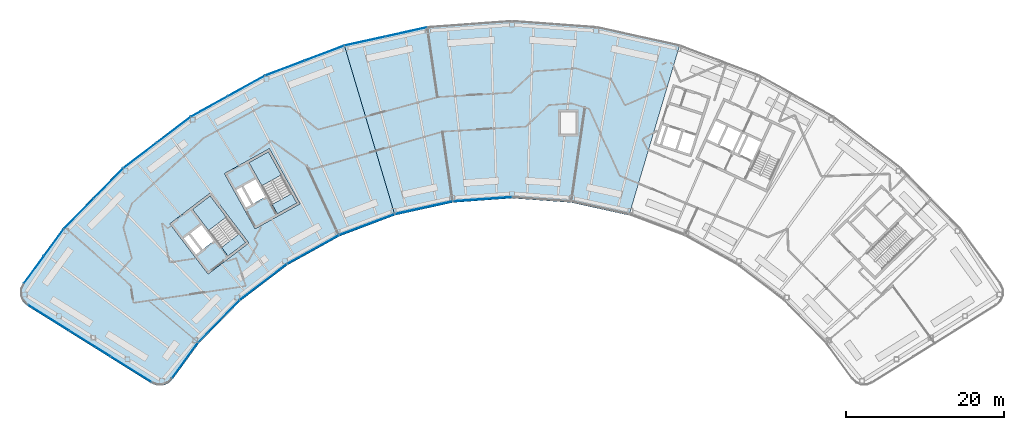
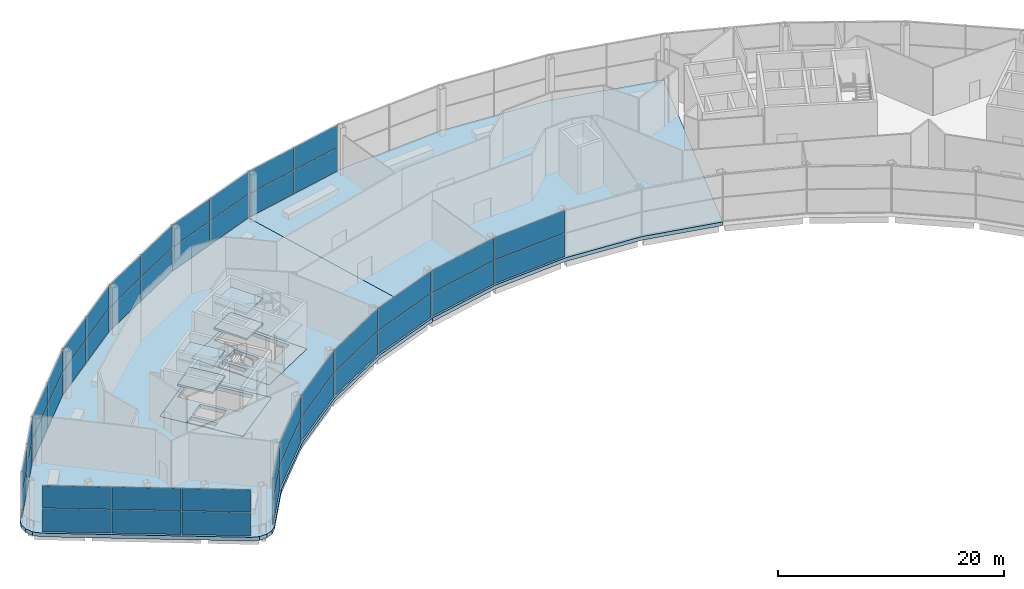
# One storey, part 33 of 43: 44 plates, 10 slabs, 16 elements without a shape of their own.
"""IFC4 building model written with IfcOpenShell, lengths in metres."""

from ifc_helpers import new_model, si_unit, direction, frame, origin, origin_2d, place, context, subcontext, project, spatial, polyline, rectangle, outline, extrude, material, layer, layer_set, type_object, element, aggregate, save


model = new_model("IFC4")

# Units and contexts
model_context = context("Model", 3, precision=1e-05, world=origin(), true_north=direction((0.0, 1.0)))
body_context = subcontext(model_context, "Body", "Model", "MODEL_VIEW")
ifc_project = project(units=[si_unit("LENGTHUNIT", "METRE"), si_unit("AREAUNIT", "SQUARE_METRE"), si_unit("VOLUMEUNIT", "CUBIC_METRE"), si_unit("PLANEANGLEUNIT", "RADIAN"), si_unit("MASSUNIT", "GRAM", prefix="KILO")], contexts=[model_context])

# Site, building, storey
site_placement = place(None, origin())
site = spatial("IfcSite", under=ifc_project, at=site_placement, CompositionType="ELEMENT")
building_placement = place(site_placement, origin())
building = spatial("IfcBuilding", under=site, at=building_placement, Name="Tuul Gate Civic Tower", CompositionType="ELEMENT")
storey_placement = place(building_placement, frame((0.0, 0.0, 349.10009765625)))
storey = spatial("IfcBuildingStorey", under=building, at=storey_placement, Name="Observation level 1", CompositionType="ELEMENT", Elevation=349.10009765625)

# Curtain wall, plates
ifc_material_1 = material(Name="Stainless steel", Category="steel")
ifc_layer_1 = layer(ifc_material_1, 0.199951171875)
ifc_layer_set_1 = layer_set([ifc_layer_1], Name="Stainless steel")
curtain_wall_type = type_object("IfcCurtainWallType", Name="Curtain wall CW4", PredefinedType="NOTDEFINED", material=ifc_layer_set_1)
curtain_wall_1_placement = place(storey_placement, origin())
curtain_wall_1 = element("IfcCurtainWall", 1, at=curtain_wall_1_placement, inside=storey, type_object=curtain_wall_type, Name="Curtain wall CW4", PredefinedType="NOTDEFINED")
ifc_material_2 = material(Name="Laminated glass", Category="glass")
ifc_layer_2 = layer(ifc_material_2, 0.0400390625)
ifc_layer_set_2 = layer_set([ifc_layer_2], Name="Laminated glass")
plate_type = type_object("IfcPlateType", Name="CW4 panel", PredefinedType="CURTAIN_PANEL", material=ifc_layer_set_2)
plate_1_placement = place(storey_placement, frame((-11.159423828125, 12.921875, 0.06005859375), z_axis=(0.0, 0.0, 1.0), x_axis=(-0.976566659334, -0.215215147882, 0.0)))
plate_1 = element("IfcPlate", 2, at=plate_1_placement, type_object=plate_type, Name="Panel", PredefinedType="CURTAIN_PANEL", context=body_context, shape_type="SweptSolid", body=[
    extrude(rectangle(XDim=5.28125, YDim=0.0400390625, at=origin_2d()), origin(), (0.0, 0.0, 1.0), 2.510009765625),
])
plate_2_placement = place(storey_placement, frame((-11.159423828125, 12.921875, 2.6298828125), z_axis=(0.0, 0.0, 1.0), x_axis=(-0.976566659334, -0.215215147882, 0.0)))
plate_2 = element("IfcPlate", 3, at=plate_2_placement, type_object=plate_type, Name="Panel", PredefinedType="CURTAIN_PANEL", context=body_context, shape_type="SweptSolid", body=[
    extrude(rectangle(XDim=5.28125, YDim=0.0400390625, at=origin_2d()), origin(), (0.0, 0.0, 1.0), 2.409912109375),
])
plate_3_placement = place(storey_placement, frame((-16.37548828125, 11.772216796875, 0.06005859375), z_axis=(0.0, 0.0, 1.0), x_axis=(-0.976566659334, -0.215215147882, 0.0)))
plate_3 = element("IfcPlate", 4, at=plate_3_placement, type_object=plate_type, Name="Panel", PredefinedType="CURTAIN_PANEL", context=body_context, shape_type="SweptSolid", body=[
    extrude(rectangle(XDim=5.28125, YDim=0.0400390625, at=origin_2d()), origin(), (0.0, 0.0, 1.0), 2.510009765625),
])
plate_4_placement = place(storey_placement, frame((-16.37548828125, 11.772216796875, 2.6298828125), z_axis=(0.0, 0.0, 1.0), x_axis=(-0.976566659334, -0.215215147882, 0.0)))
plate_4 = element("IfcPlate", 5, at=plate_4_placement, type_object=plate_type, Name="Panel", PredefinedType="CURTAIN_PANEL", context=body_context, shape_type="SweptSolid", body=[
    extrude(rectangle(XDim=5.28125, YDim=0.0400390625, at=origin_2d()), origin(), (0.0, 0.0, 1.0), 2.409912109375),
])
aggregate(curtain_wall_1, [plate_1, plate_2, plate_3, plate_4])

curtain_wall_2_placement = place(storey_placement, origin())
curtain_wall_2 = element("IfcCurtainWall", 6, at=curtain_wall_2_placement, inside=storey, type_object=curtain_wall_type, Name="Curtain wall CW4", PredefinedType="NOTDEFINED")
plate_5_placement = place(storey_placement, frame((-21.5390625, 10.235595703125, 0.06005859375), z_axis=(0.0, 0.0, 1.0), x_axis=(-0.935346200905, -0.35373363489, 0.0)))
plate_5 = element("IfcPlate", 7, at=plate_5_placement, type_object=plate_type, Name="Panel", PredefinedType="CURTAIN_PANEL", context=body_context, shape_type="SweptSolid", body=[
    extrude(rectangle(XDim=5.28125, YDim=0.0400390625, at=origin_2d()), origin(), (0.0, 0.0, 1.0), 2.510009765625),
])
plate_6_placement = place(storey_placement, frame((-21.5390625, 10.235595703125, 2.6298828125), z_axis=(0.0, 0.0, 1.0), x_axis=(-0.935346200905, -0.35373363489, 0.0)))
plate_6 = element("IfcPlate", 8, at=plate_6_placement, type_object=plate_type, Name="Panel", PredefinedType="CURTAIN_PANEL", context=body_context, shape_type="SweptSolid", body=[
    extrude(rectangle(XDim=5.28125, YDim=0.0400390625, at=origin_2d()), origin(), (0.0, 0.0, 1.0), 2.409912109375),
])
plate_7_placement = place(storey_placement, frame((-26.534912109375, 8.34619140625, 0.06005859375), z_axis=(0.0, 0.0, 1.0), x_axis=(-0.935346200905, -0.35373363489, 0.0)))
plate_7 = element("IfcPlate", 9, at=plate_7_placement, type_object=plate_type, Name="Panel", PredefinedType="CURTAIN_PANEL", context=body_context, shape_type="SweptSolid", body=[
    extrude(rectangle(XDim=5.28125, YDim=0.0400390625, at=origin_2d()), origin(), (0.0, 0.0, 1.0), 2.510009765625),
])
plate_8_placement = place(storey_placement, frame((-26.534912109375, 8.34619140625, 2.6298828125), z_axis=(0.0, 0.0, 1.0), x_axis=(-0.935346200905, -0.35373363489, 0.0)))
plate_8 = element("IfcPlate", 10, at=plate_8_placement, type_object=plate_type, Name="Panel", PredefinedType="CURTAIN_PANEL", context=body_context, shape_type="SweptSolid", body=[
    extrude(rectangle(XDim=5.28125, YDim=0.0400390625, at=origin_2d()), origin(), (0.0, 0.0, 1.0), 2.409912109375),
])
aggregate(curtain_wall_2, [plate_5, plate_6, plate_7, plate_8])

curtain_wall_3_placement = place(storey_placement, origin())
curtain_wall_3 = element("IfcCurtainWall", 11, at=curtain_wall_3_placement, inside=storey, type_object=curtain_wall_type, Name="Curtain wall CW4", PredefinedType="NOTDEFINED")
plate_9_placement = place(storey_placement, frame((-31.423095703125, 6.081787109375, 0.06005859375), z_axis=(0.0, 0.0, 1.0), x_axis=(-0.874631068374, -0.48478912347, 0.0)))
plate_9 = element("IfcPlate", 12, at=plate_9_placement, type_object=plate_type, Name="Panel", PredefinedType="CURTAIN_PANEL", context=body_context, shape_type="SweptSolid", body=[
    extrude(rectangle(XDim=5.281494140625, YDim=0.0400390625, at=origin_2d()), origin(), (0.0, 0.0, 1.0), 2.510009765625),
])
plate_10_placement = place(storey_placement, frame((-31.423095703125, 6.081787109375, 2.6298828125), z_axis=(0.0, 0.0, 1.0), x_axis=(-0.874631068374, -0.48478912347, 0.0)))
plate_10 = element("IfcPlate", 13, at=plate_10_placement, type_object=plate_type, Name="Panel", PredefinedType="CURTAIN_PANEL", context=body_context, shape_type="SweptSolid", body=[
    extrude(rectangle(XDim=5.281494140625, YDim=0.0400390625, at=origin_2d()), origin(), (0.0, 0.0, 1.0), 2.409912109375),
])
plate_11_placement = place(storey_placement, frame((-36.094970703125, 3.4921875, 0.06005859375), z_axis=(0.0, 0.0, 1.0), x_axis=(-0.874631068374, -0.48478912347, 0.0)))
plate_11 = element("IfcPlate", 14, at=plate_11_placement, type_object=plate_type, Name="Panel", PredefinedType="CURTAIN_PANEL", context=body_context, shape_type="SweptSolid", body=[
    extrude(rectangle(XDim=5.281494140625, YDim=0.0400390625, at=origin_2d()), origin(), (0.0, 0.0, 1.0), 2.510009765625),
])
plate_12_placement = place(storey_placement, frame((-36.094970703125, 3.4921875, 2.6298828125), z_axis=(0.0, 0.0, 1.0), x_axis=(-0.874631068374, -0.48478912347, 0.0)))
plate_12 = element("IfcPlate", 15, at=plate_12_placement, type_object=plate_type, Name="Panel", PredefinedType="CURTAIN_PANEL", context=body_context, shape_type="SweptSolid", body=[
    extrude(rectangle(XDim=5.281494140625, YDim=0.0400390625, at=origin_2d()), origin(), (0.0, 0.0, 1.0), 2.409912109375),
])
aggregate(curtain_wall_3, [plate_9, plate_10, plate_11, plate_12])

curtain_wall_4_placement = place(storey_placement, origin())
curtain_wall_4 = element("IfcCurtainWall", 16, at=curtain_wall_4_placement, inside=storey, type_object=curtain_wall_type, Name="Curtain wall CW4", PredefinedType="NOTDEFINED")
plate_13_placement = place(storey_placement, frame((-40.605712890625, 0.546875, 0.06005859375), z_axis=(0.0, 0.0, 1.0), x_axis=(-0.795611180684, -0.605807600786, 0.0)))
plate_13 = element("IfcPlate", 17, at=plate_13_placement, type_object=plate_type, Name="Panel", PredefinedType="CURTAIN_PANEL", context=body_context, shape_type="SweptSolid", body=[
    extrude(rectangle(XDim=5.28125, YDim=0.0400390625, at=origin_2d()), origin(), (0.0, 0.0, 1.0), 2.510009765625),
])
plate_14_placement = place(storey_placement, frame((-40.605712890625, 0.546875, 2.6298828125), z_axis=(0.0, 0.0, 1.0), x_axis=(-0.795611180684, -0.605807600786, 0.0)))
plate_14 = element("IfcPlate", 18, at=plate_14_placement, type_object=plate_type, Name="Panel", PredefinedType="CURTAIN_PANEL", context=body_context, shape_type="SweptSolid", body=[
    extrude(rectangle(XDim=5.28125, YDim=0.0400390625, at=origin_2d()), origin(), (0.0, 0.0, 1.0), 2.409912109375),
])
plate_15_placement = place(storey_placement, frame((-44.855224609375, -2.68896484375, 0.06005859375), z_axis=(0.0, 0.0, 1.0), x_axis=(-0.795611180684, -0.605807600786, 0.0)))
plate_15 = element("IfcPlate", 19, at=plate_15_placement, type_object=plate_type, Name="Panel", PredefinedType="CURTAIN_PANEL", context=body_context, shape_type="SweptSolid", body=[
    extrude(rectangle(XDim=5.28125, YDim=0.0400390625, at=origin_2d()), origin(), (0.0, 0.0, 1.0), 2.510009765625),
])
plate_16_placement = place(storey_placement, frame((-44.855224609375, -2.68896484375, 2.6298828125), z_axis=(0.0, 0.0, 1.0), x_axis=(-0.795611180684, -0.605807600786, 0.0)))
plate_16 = element("IfcPlate", 20, at=plate_16_placement, type_object=plate_type, Name="Panel", PredefinedType="CURTAIN_PANEL", context=body_context, shape_type="SweptSolid", body=[
    extrude(rectangle(XDim=5.28125, YDim=0.0400390625, at=origin_2d()), origin(), (0.0, 0.0, 1.0), 2.409912109375),
])
aggregate(curtain_wall_4, [plate_13, plate_14, plate_15, plate_16])

curtain_wall_5_placement = place(storey_placement, origin())
curtain_wall_5 = element("IfcCurtainWall", 21, at=curtain_wall_5_placement, inside=storey, type_object=curtain_wall_type, Name="Curtain wall CW4", PredefinedType="NOTDEFINED")
plate_17_placement = place(storey_placement, frame((-48.89453125, -6.25341796875, 0.06005859375), z_axis=(0.0, 0.0, 1.0), x_axis=(-0.700043488595, -0.714100212908, 0.0)))
plate_17 = element("IfcPlate", 22, at=plate_17_placement, type_object=plate_type, Name="Panel", PredefinedType="CURTAIN_PANEL", context=body_context, shape_type="SweptSolid", body=[
    extrude(rectangle(XDim=5.281005859375, YDim=0.0400390625, at=origin_2d()), origin(), (0.0, 0.0, 1.0), 2.510009765625),
])
plate_18_placement = place(storey_placement, frame((-48.89453125, -6.25341796875, 2.6298828125), z_axis=(0.0, 0.0, 1.0), x_axis=(-0.700043488595, -0.714100212908, 0.0)))
plate_18 = element("IfcPlate", 23, at=plate_18_placement, type_object=plate_type, Name="Panel", PredefinedType="CURTAIN_PANEL", context=body_context, shape_type="SweptSolid", body=[
    extrude(rectangle(XDim=5.281005859375, YDim=0.0400390625, at=origin_2d()), origin(), (0.0, 0.0, 1.0), 2.409912109375),
])
plate_19_placement = place(storey_placement, frame((-52.633544921875, -10.067626953125, 0.06005859375), z_axis=(0.0, 0.0, 1.0), x_axis=(-0.700043488595, -0.714100212908, 0.0)))
plate_19 = element("IfcPlate", 24, at=plate_19_placement, type_object=plate_type, Name="Panel", PredefinedType="CURTAIN_PANEL", context=body_context, shape_type="SweptSolid", body=[
    extrude(rectangle(XDim=5.281005859375, YDim=0.0400390625, at=origin_2d()), origin(), (0.0, 0.0, 1.0), 2.510009765625),
])
plate_20_placement = place(storey_placement, frame((-52.633544921875, -10.067626953125, 2.6298828125), z_axis=(0.0, 0.0, 1.0), x_axis=(-0.700043488595, -0.714100212908, 0.0)))
plate_20 = element("IfcPlate", 25, at=plate_20_placement, type_object=plate_type, Name="Panel", PredefinedType="CURTAIN_PANEL", context=body_context, shape_type="SweptSolid", body=[
    extrude(rectangle(XDim=5.281005859375, YDim=0.0400390625, at=origin_2d()), origin(), (0.0, 0.0, 1.0), 2.409912109375),
])
aggregate(curtain_wall_5, [plate_17, plate_18, plate_19, plate_20])

curtain_wall_6_placement = place(storey_placement, origin())
curtain_wall_6 = element("IfcCurtainWall", 26, at=curtain_wall_6_placement, inside=storey, type_object=curtain_wall_type, Name="Curtain wall CW4", PredefinedType="NOTDEFINED")
plate_21_placement = place(storey_placement, frame((-55.80126953125, -13.7451171875, 0.06005859375), z_axis=(0.0, 0.0, 1.0), x_axis=(-0.589760109881, -0.807578487079, 0.0)))
plate_21 = element("IfcPlate", 27, at=plate_21_placement, type_object=plate_type, Name="Panel", PredefinedType="CURTAIN_PANEL", context=body_context, shape_type="SweptSolid", body=[
    extrude(rectangle(XDim=4.211669921875, YDim=0.0400390625, at=origin_2d()), origin(), (0.0, 0.0, 1.0), 2.510009765625),
])
plate_22_placement = place(storey_placement, frame((-55.80126953125, -13.7451171875, 2.6298828125), z_axis=(0.0, 0.0, 1.0), x_axis=(-0.589760109881, -0.807578487079, 0.0)))
plate_22 = element("IfcPlate", 28, at=plate_22_placement, type_object=plate_type, Name="Panel", PredefinedType="CURTAIN_PANEL", context=body_context, shape_type="SweptSolid", body=[
    extrude(rectangle(XDim=4.211669921875, YDim=0.0400390625, at=origin_2d()), origin(), (0.0, 0.0, 1.0), 2.409912109375),
])
plate_23_placement = place(storey_placement, frame((-58.320556640625, -17.19482421875, 0.06005859375), z_axis=(0.0, 0.0, 1.0), x_axis=(-0.589760109881, -0.807578487079, 0.0)))
plate_23 = element("IfcPlate", 29, at=plate_23_placement, type_object=plate_type, Name="Panel", PredefinedType="CURTAIN_PANEL", context=body_context, shape_type="SweptSolid", body=[
    extrude(rectangle(XDim=4.211669921875, YDim=0.0400390625, at=origin_2d()), origin(), (0.0, 0.0, 1.0), 2.510009765625),
])
plate_24_placement = place(storey_placement, frame((-58.320556640625, -17.19482421875, 2.6298828125), z_axis=(0.0, 0.0, 1.0), x_axis=(-0.589760109881, -0.807578487079, 0.0)))
plate_24 = element("IfcPlate", 30, at=plate_24_placement, type_object=plate_type, Name="Panel", PredefinedType="CURTAIN_PANEL", context=body_context, shape_type="SweptSolid", body=[
    extrude(rectangle(XDim=4.211669921875, YDim=0.0400390625, at=origin_2d()), origin(), (0.0, 0.0, 1.0), 2.409912109375),
])
aggregate(curtain_wall_6, [plate_21, plate_22, plate_23, plate_24])

curtain_wall_7_placement = place(storey_placement, origin())
curtain_wall_7 = element("IfcCurtainWall", 31, at=curtain_wall_7_placement, inside=storey, type_object=curtain_wall_type, Name="Curtain wall CW4", PredefinedType="NOTDEFINED")
plate_25_placement = place(storey_placement, frame((-56.45068359375, -23.25, 0.06005859375), z_axis=(0.0, 0.0, 1.0), x_axis=(0.848052818366, -0.529911707044, 0.0)))
plate_25 = element("IfcPlate", 32, at=plate_25_placement, type_object=plate_type, Name="Panel", PredefinedType="CURTAIN_PANEL", context=body_context, shape_type="SweptSolid", body=[
    extrude(rectangle(XDim=6.0927734375, YDim=0.0400390625, at=origin_2d()), origin(), (0.0, 0.0, 1.0), 2.510009765625),
])
plate_26_placement = place(storey_placement, frame((-56.45068359375, -23.25, 2.6298828125), z_axis=(0.0, 0.0, 1.0), x_axis=(0.848052818366, -0.529911707044, 0.0)))
plate_26 = element("IfcPlate", 33, at=plate_26_placement, type_object=plate_type, Name="Panel", PredefinedType="CURTAIN_PANEL", context=body_context, shape_type="SweptSolid", body=[
    extrude(rectangle(XDim=6.0927734375, YDim=0.0400390625, at=origin_2d()), origin(), (0.0, 0.0, 1.0), 2.409912109375),
])
plate_27_placement = place(storey_placement, frame((-51.219970703125, -26.5185546875, 0.06005859375), z_axis=(0.0, 0.0, 1.0), x_axis=(0.848052818366, -0.529911707044, 0.0)))
plate_27 = element("IfcPlate", 34, at=plate_27_placement, type_object=plate_type, Name="Panel", PredefinedType="CURTAIN_PANEL", context=body_context, shape_type="SweptSolid", body=[
    extrude(rectangle(XDim=6.122802734375, YDim=0.0400390625, at=origin_2d()), origin(), (0.0, 0.0, 1.0), 2.510009765625),
])
plate_28_placement = place(storey_placement, frame((-51.219970703125, -26.5185546875, 2.6298828125), z_axis=(0.0, 0.0, 1.0), x_axis=(0.848052818366, -0.529911707044, 0.0)))
plate_28 = element("IfcPlate", 35, at=plate_28_placement, type_object=plate_type, Name="Panel", PredefinedType="CURTAIN_PANEL", context=body_context, shape_type="SweptSolid", body=[
    extrude(rectangle(XDim=6.122802734375, YDim=0.0400390625, at=origin_2d()), origin(), (0.0, 0.0, 1.0), 2.409912109375),
])
plate_29_placement = place(storey_placement, frame((-45.989501953125, -29.786865234375, 0.06005859375), z_axis=(0.0, 0.0, 1.0), x_axis=(0.848052818366, -0.529911707044, 0.0)))
plate_29 = element("IfcPlate", 36, at=plate_29_placement, type_object=plate_type, Name="Panel", PredefinedType="CURTAIN_PANEL", context=body_context, shape_type="SweptSolid", body=[
    extrude(rectangle(XDim=6.0927734375, YDim=0.0400390625, at=origin_2d()), origin(), (0.0, 0.0, 1.0), 2.510009765625),
])
plate_30_placement = place(storey_placement, frame((-45.989501953125, -29.786865234375, 2.6298828125), z_axis=(0.0, 0.0, 1.0), x_axis=(0.848052818366, -0.529911707044, 0.0)))
plate_30 = element("IfcPlate", 37, at=plate_30_placement, type_object=plate_type, Name="Panel", PredefinedType="CURTAIN_PANEL", context=body_context, shape_type="SweptSolid", body=[
    extrude(rectangle(XDim=6.0927734375, YDim=0.0400390625, at=origin_2d()), origin(), (0.0, 0.0, 1.0), 2.409912109375),
])
aggregate(curtain_wall_7, [plate_25, plate_26, plate_27, plate_28, plate_29, plate_30])

curtain_wall_8_placement = place(storey_placement, origin())
curtain_wall_8 = element("IfcCurtainWall", 38, at=curtain_wall_8_placement, inside=storey, type_object=curtain_wall_type, Name="Curtain wall CW4", PredefinedType="NOTDEFINED")
plate_31_placement = place(storey_placement, frame((-39.21240234375, -28.67138671875, 0.06005859375), z_axis=(0.0, 0.0, 1.0), x_axis=(0.589737236717, 0.807595190444, 0.0)))
plate_31 = element("IfcPlate", 39, at=plate_31_placement, type_object=plate_type, Name="Panel", PredefinedType="CURTAIN_PANEL", context=body_context, shape_type="SweptSolid", body=[
    extrude(rectangle(XDim=5.53515625, YDim=0.0400390625, at=origin_2d()), origin(), (0.0, 0.0, 1.0), 2.510009765625),
])
plate_32_placement = place(storey_placement, frame((-39.21240234375, -28.67138671875, 2.6298828125), z_axis=(0.0, 0.0, 1.0), x_axis=(0.589737236717, 0.807595190444, 0.0)))
plate_32 = element("IfcPlate", 40, at=plate_32_placement, type_object=plate_type, Name="Panel", PredefinedType="CURTAIN_PANEL", context=body_context, shape_type="SweptSolid", body=[
    extrude(rectangle(XDim=5.53515625, YDim=0.0400390625, at=origin_2d()), origin(), (0.0, 0.0, 1.0), 2.409912109375),
])
aggregate(curtain_wall_8, [plate_31, plate_32])

curtain_wall_9_placement = place(storey_placement, origin())
curtain_wall_9 = element("IfcCurtainWall", 41, at=curtain_wall_9_placement, inside=storey, type_object=curtain_wall_type, Name="Curtain wall CW4", PredefinedType="NOTDEFINED")
plate_33_placement = place(storey_placement, frame((-34.910400390625, -23.700927734375, 0.06005859375), z_axis=(0.0, 0.0, 1.0), x_axis=(0.700096651008, 0.714048093092, 0.0)))
plate_33 = element("IfcPlate", 42, at=plate_33_placement, type_object=plate_type, Name="Panel", PredefinedType="CURTAIN_PANEL", context=body_context, shape_type="SweptSolid", body=[
    extrude(rectangle(XDim=7.406005859375, YDim=0.0400390625, at=origin_2d()), origin(), (0.0, 0.0, 1.0), 2.510009765625),
])
plate_34_placement = place(storey_placement, frame((-34.910400390625, -23.700927734375, 2.6298828125), z_axis=(0.0, 0.0, 1.0), x_axis=(0.700096651008, 0.714048093092, 0.0)))
plate_34 = element("IfcPlate", 43, at=plate_34_placement, type_object=plate_type, Name="Panel", PredefinedType="CURTAIN_PANEL", context=body_context, shape_type="SweptSolid", body=[
    extrude(rectangle(XDim=7.406005859375, YDim=0.0400390625, at=origin_2d()), origin(), (0.0, 0.0, 1.0), 2.409912109375),
])
aggregate(curtain_wall_9, [plate_33, plate_34])

curtain_wall_10_placement = place(storey_placement, origin())
curtain_wall_10 = element("IfcCurtainWall", 44, at=curtain_wall_10_placement, inside=storey, type_object=curtain_wall_type, Name="Curtain wall CW4", PredefinedType="NOTDEFINED")
plate_35_placement = place(storey_placement, frame((-29.281982421875, -18.73388671875, 0.06005859375), z_axis=(0.0, 0.0, 1.0), x_axis=(0.795578092914, 0.605851052715, 0.0)))
plate_35 = element("IfcPlate", 45, at=plate_35_placement, type_object=plate_type, Name="Panel", PredefinedType="CURTAIN_PANEL", context=body_context, shape_type="SweptSolid", body=[
    extrude(rectangle(XDim=7.406494140625, YDim=0.0400390625, at=origin_2d()), origin(), (0.0, 0.0, 1.0), 2.510009765625),
])
plate_36_placement = place(storey_placement, frame((-29.281982421875, -18.73388671875, 2.6298828125), z_axis=(0.0, 0.0, 1.0), x_axis=(0.795578092914, 0.605851052715, 0.0)))
plate_36 = element("IfcPlate", 46, at=plate_36_placement, type_object=plate_type, Name="Panel", PredefinedType="CURTAIN_PANEL", context=body_context, shape_type="SweptSolid", body=[
    extrude(rectangle(XDim=7.406494140625, YDim=0.0400390625, at=origin_2d()), origin(), (0.0, 0.0, 1.0), 2.409912109375),
])
aggregate(curtain_wall_10, [plate_35, plate_36])

curtain_wall_11_placement = place(storey_placement, origin())
curtain_wall_11 = element("IfcCurtainWall", 47, at=curtain_wall_11_placement, inside=storey, type_object=curtain_wall_type, Name="Curtain wall CW4", PredefinedType="NOTDEFINED")
plate_37_placement = place(storey_placement, frame((-22.99658203125, -14.62939453125, 0.06005859375), z_axis=(0.0, 0.0, 1.0), x_axis=(0.874620635875, 0.48480794476, 0.0)))
plate_37 = element("IfcPlate", 48, at=plate_37_placement, type_object=plate_type, Name="Panel", PredefinedType="CURTAIN_PANEL", context=body_context, shape_type="SweptSolid", body=[
    extrude(rectangle(XDim=7.40673828125, YDim=0.0400390625, at=origin_2d()), origin(), (0.0, 0.0, 1.0), 2.510009765625),
])
plate_38_placement = place(storey_placement, frame((-22.99658203125, -14.62939453125, 2.6298828125), z_axis=(0.0, 0.0, 1.0), x_axis=(0.874620635875, 0.48480794476, 0.0)))
plate_38 = element("IfcPlate", 49, at=plate_38_placement, type_object=plate_type, Name="Panel", PredefinedType="CURTAIN_PANEL", context=body_context, shape_type="SweptSolid", body=[
    extrude(rectangle(XDim=7.40673828125, YDim=0.0400390625, at=origin_2d()), origin(), (0.0, 0.0, 1.0), 2.409912109375),
])
aggregate(curtain_wall_11, [plate_37, plate_38])

curtain_wall_12_placement = place(storey_placement, origin())
curtain_wall_12 = element("IfcCurtainWall", 50, at=curtain_wall_12_placement, inside=storey, type_object=curtain_wall_type, Name="Curtain wall CW4", PredefinedType="NOTDEFINED")
plate_39_placement = place(storey_placement, frame((-16.18505859375, -11.47412109375, 0.06005859375), z_axis=(0.0, 0.0, 1.0), x_axis=(0.935364679597, 0.353684769481, 0.0)))
plate_39 = element("IfcPlate", 51, at=plate_39_placement, type_object=plate_type, Name="Panel", PredefinedType="CURTAIN_PANEL", context=body_context, shape_type="SweptSolid", body=[
    extrude(rectangle(XDim=7.406494140625, YDim=0.0400390625, at=origin_2d()), origin(), (0.0, 0.0, 1.0), 2.510009765625),
])
plate_40_placement = place(storey_placement, frame((-16.18505859375, -11.47412109375, 2.6298828125), z_axis=(0.0, 0.0, 1.0), x_axis=(0.935364679597, 0.353684769481, 0.0)))
plate_40 = element("IfcPlate", 52, at=plate_40_placement, type_object=plate_type, Name="Panel", PredefinedType="CURTAIN_PANEL", context=body_context, shape_type="SweptSolid", body=[
    extrude(rectangle(XDim=7.406494140625, YDim=0.0400390625, at=origin_2d()), origin(), (0.0, 0.0, 1.0), 2.409912109375),
])
aggregate(curtain_wall_12, [plate_39, plate_40])

curtain_wall_13_placement = place(storey_placement, origin())
curtain_wall_13 = element("IfcCurtainWall", 53, at=curtain_wall_13_placement, inside=storey, type_object=curtain_wall_type, Name="Curtain wall CW4", PredefinedType="NOTDEFINED")
plate_41_placement = place(storey_placement, frame((-8.989990234375, -9.3330078125, 0.06005859375), z_axis=(0.0, 0.0, 1.0), x_axis=(0.976560749849, 0.215241961183, 0.0)))
plate_41 = element("IfcPlate", 54, at=plate_41_placement, type_object=plate_type, Name="Panel", PredefinedType="CURTAIN_PANEL", context=body_context, shape_type="SweptSolid", body=[
    extrude(rectangle(XDim=7.406494140625, YDim=0.0400390625, at=origin_2d()), origin(), (0.0, 0.0, 1.0), 2.510009765625),
])
plate_42_placement = place(storey_placement, frame((-8.989990234375, -9.3330078125, 2.6298828125), z_axis=(0.0, 0.0, 1.0), x_axis=(0.976560749849, 0.215241961183, 0.0)))
plate_42 = element("IfcPlate", 55, at=plate_42_placement, type_object=plate_type, Name="Panel", PredefinedType="CURTAIN_PANEL", context=body_context, shape_type="SweptSolid", body=[
    extrude(rectangle(XDim=7.406494140625, YDim=0.0400390625, at=origin_2d()), origin(), (0.0, 0.0, 1.0), 2.409912109375),
])
aggregate(curtain_wall_13, [plate_41, plate_42])

curtain_wall_14_placement = place(storey_placement, origin())
curtain_wall_14 = element("IfcCurtainWall", 56, at=curtain_wall_14_placement, inside=storey, type_object=curtain_wall_type, Name="Curtain wall CW4", PredefinedType="NOTDEFINED")
plate_43_placement = place(storey_placement, frame((-1.5615234375, -8.2509765625, 0.06005859375), z_axis=(0.0, 0.0, 1.0), x_axis=(0.997384657179, 0.072276176045, 0.0)))
plate_43 = element("IfcPlate", 57, at=plate_43_placement, type_object=plate_type, Name="Panel", PredefinedType="CURTAIN_PANEL", context=body_context, shape_type="SweptSolid", body=[
    extrude(rectangle(XDim=7.40673828125, YDim=0.0400390625, at=origin_2d()), origin(), (0.0, 0.0, 1.0), 2.510009765625),
])
plate_44_placement = place(storey_placement, frame((-1.5615234375, -8.2509765625, 2.6298828125), z_axis=(0.0, 0.0, 1.0), x_axis=(0.997384657179, 0.072276176045, 0.0)))
plate_44 = element("IfcPlate", 58, at=plate_44_placement, type_object=plate_type, Name="Panel", PredefinedType="CURTAIN_PANEL", context=body_context, shape_type="SweptSolid", body=[
    extrude(rectangle(XDim=7.40673828125, YDim=0.0400390625, at=origin_2d()), origin(), (0.0, 0.0, 1.0), 2.409912109375),
])
aggregate(curtain_wall_14, [plate_43, plate_44])

# Slabs
ifc_material_3 = material(Name="Concrete C40/50", Category="concrete")
ifc_layer_3 = layer(ifc_material_3, 0.39990234375)
ifc_layer_set_3 = layer_set([ifc_layer_3], Name="Concrete C40/50")
slab_type_1 = type_object("IfcSlabType", Name="Core floor slab 400", PredefinedType="FLOOR", material=ifc_layer_set_3)
slab_1_placement = place(storey_placement, frame((0.0, 0.0, -0.400146484375)))
element("IfcSlab", 59, at=slab_1_placement, inside=storey, type_object=slab_type_1, Name="FLOOR SLAB", PredefinedType="FLOOR", context=body_context, shape_type="SweptSolid", body=[
    extrude(outline(polyline([(-31.10009765625, -13.7890625), (-35.946044921875, -7.423828125), (-41.11767578125, -11.361572265625), (-36.271484375, -17.726806640625), (-31.10009765625, -13.7890625)]), holes=[polyline([(-35.561767578125, -13.541259765625), (-37.1064453125, -11.512451171875), (-38.498779296875, -12.572509765625), (-36.9541015625, -14.6015625), (-35.561767578125, -13.541259765625)]), polyline([(-37.19287109375, -14.783203125), (-38.737548828125, -12.75439453125), (-39.45361328125, -13.299560546875), (-37.908935546875, -15.328369140625), (-37.19287109375, -14.783203125)]), polyline([(-32.33935546875, -12.65771484375), (-34.56591796875, -14.352783203125), (-38.229736328125, -9.54052734375), (-36.003173828125, -7.845458984375), (-32.33935546875, -12.65771484375)])]), origin(), (0.0, 0.0, 1.0), 0.400146484375),
])
slab_2_placement = place(storey_placement, frame((0.0, 0.0, -0.400146484375)))
element("IfcSlab", 60, at=slab_2_placement, inside=storey, type_object=slab_type_1, Name="FLOOR SLAB", PredefinedType="FLOOR", context=body_context, shape_type="SweptSolid", body=[
    extrude(outline(polyline([(-24.638916015625, -8.846923828125), (-28.51708984375, -1.849853515625), (-34.2021484375, -5.0009765625), (-30.32421875, -11.998046875), (-24.638916015625, -8.846923828125)]), holes=[polyline([(-29.0185546875, -7.958740234375), (-30.254638671875, -5.728515625), (-31.785400390625, -6.576904296875), (-30.54931640625, -8.80712890625), (-29.0185546875, -7.958740234375)]), polyline([(-30.8115234375, -8.95263671875), (-32.047607421875, -6.72216796875), (-32.8349609375, -7.158447265625), (-31.5986328125, -9.388916015625), (-30.8115234375, -8.95263671875)]), polyline([(-25.702392578125, -7.548828125), (-28.14990234375, -8.905517578125), (-31.08203125, -3.615234375), (-28.63427734375, -2.2587890625), (-25.702392578125, -7.548828125)])]), origin(), (0.0, 0.0, 1.0), 0.400146484375),
])

# Stair, slabs
ifc_material_4 = material(Name="Concrete C40/50", Category="concrete")
stair_type = type_object("IfcStairType", Name="Exit stair", PredefinedType="HALF_TURN_STAIR", material=ifc_material_4)
stair_1_placement = place(storey_placement, origin())
stair_1 = element("IfcStair", 61, at=stair_1_placement, inside=storey, type_object=stair_type, Name="Observation level 1 ST-1", PredefinedType="HALF_TURN_STAIR")
ifc_material_5 = material(Name="Concrete C40/50", Category="concrete")
ifc_layer_4 = layer(ifc_material_5, 0.199951171875)
ifc_layer_set_4 = layer_set([ifc_layer_4], Name="Concrete C40/50")
slab_type_2 = type_object("IfcSlabType", Name="Exit stair landing", PredefinedType="LANDING", material=ifc_layer_set_4)
slab_3_placement = place(storey_placement, frame((0.0, 0.0, 1.1748046875)))
slab_3 = element("IfcSlab", 62, at=slab_3_placement, type_object=slab_type_2, Name="ST-1 landing 1", PredefinedType="LANDING", context=body_context, shape_type="SweptSolid", body=[
    extrude(outline(polyline([(-33.97265625, -10.509765625), (-36.20166015625, -12.206787109375), (-38.23193359375, -9.540283203125), (-36.0029296875, -7.843017578125), (-33.97265625, -10.509765625)])), origin(), (0.0, 0.0, 1.0), 0.2001953125),
])
slab_4_placement = place(storey_placement, frame((0.0, 0.0, 2.5498046875)))
slab_4 = element("IfcSlab", 63, at=slab_4_placement, type_object=slab_type_2, Name="ST-1 landing 2", PredefinedType="LANDING", context=body_context, shape_type="SweptSolid", body=[
    extrude(outline(polyline([(-31.519287109375, -13.732177734375), (-33.748291015625, -15.42919921875), (-34.567138671875, -14.353759765625), (-32.338134765625, -12.65673828125), (-31.519287109375, -13.732177734375)])), origin(), (0.0, 0.0, 1.0), 0.2001953125),
])
slab_5_placement = place(storey_placement, frame((0.0, 0.0, 3.9248046875)))
slab_5 = element("IfcSlab", 64, at=slab_5_placement, type_object=slab_type_2, Name="ST-1 landing 3", PredefinedType="LANDING", context=body_context, shape_type="SweptSolid", body=[
    extrude(outline(polyline([(-33.97265625, -10.509765625), (-36.20166015625, -12.206787109375), (-38.23193359375, -9.540283203125), (-36.0029296875, -7.843017578125), (-33.97265625, -10.509765625)])), origin(), (0.0, 0.0, 1.0), 0.2001953125),
])
aggregate(stair_1, [slab_3, slab_4, slab_5])

stair_2_placement = place(storey_placement, origin())
stair_2 = element("IfcStair", 65, at=stair_2_placement, inside=storey, type_object=stair_type, Name="Observation level 1 ST-2", PredefinedType="HALF_TURN_STAIR")
slab_6_placement = place(storey_placement, frame((0.0, 0.0, 1.1748046875)))
slab_6 = element("IfcSlab", 66, at=slab_6_placement, type_object=slab_type_2, Name="ST-2 landing 1", PredefinedType="LANDING", context=body_context, shape_type="SweptSolid", body=[
    extrude(outline(polyline([(-27.009033203125, -5.18798828125), (-29.45947265625, -6.546142578125), (-31.084228515625, -3.61474609375), (-28.6337890625, -2.256591796875), (-27.009033203125, -5.18798828125)])), origin(), (0.0, 0.0, 1.0), 0.2001953125),
])
slab_7_placement = place(storey_placement, frame((0.0, 0.0, 2.5498046875)))
slab_7 = element("IfcSlab", 67, at=slab_7_placement, type_object=slab_type_2, Name="ST-2 landing 2", PredefinedType="LANDING", context=body_context, shape_type="SweptSolid", body=[
    extrude(outline(polyline([(-25.045654296875, -8.730224609375), (-27.49609375, -10.08837890625), (-28.1513671875, -8.90625), (-25.700927734375, -7.548095703125), (-25.045654296875, -8.730224609375)])), origin(), (0.0, 0.0, 1.0), 0.2001953125),
])
slab_8_placement = place(storey_placement, frame((0.0, 0.0, 3.9248046875)))
slab_8 = element("IfcSlab", 68, at=slab_8_placement, type_object=slab_type_2, Name="ST-2 landing 3", PredefinedType="LANDING", context=body_context, shape_type="SweptSolid", body=[
    extrude(outline(polyline([(-27.009033203125, -5.18798828125), (-29.45947265625, -6.546142578125), (-31.084228515625, -3.61474609375), (-28.6337890625, -2.256591796875), (-27.009033203125, -5.18798828125)])), origin(), (0.0, 0.0, 1.0), 0.2001953125),
])
aggregate(stair_2, [slab_6, slab_7, slab_8])

# Slabs
ifc_material_6 = material(Name="Concrete C35/45", Category="concrete")
ifc_layer_5 = layer(ifc_material_6, 0.39990234375)
ifc_layer_set_5 = layer_set([ifc_layer_5], Name="Concrete C35/45")
slab_type_3 = type_object("IfcSlabType", Name="STR-FLOOR-SLAB-400", PredefinedType="FLOOR", material=ifc_layer_set_5)
slab_9_placement = place(storey_placement, frame((0.0, 0.0, -0.400146484375)))
element("IfcSlab", 69, at=slab_9_placement, inside=storey, type_object=slab_type_3, Name="Observation level 1/slab/W", PredefinedType="FLOOR", context=body_context, shape_type="SweptSolid", body=[
    extrude(outline(polyline([(-19.64208984375, -12.94189453125), (-12.6220703125, -10.287109375), (-19.055908203125, 11.3349609375), (-29.125, 7.528076171875), (-38.5390625, 2.30908203125), (-47.10400390625, -4.2119140625), (-54.638916015625, -11.89892578125), (-59.718994140625, -18.85498046875), (-60.055908203125, -19.597900390625), (-60.068115234375, -20.4140625), (-59.7529296875, -21.1669921875), (-59.1640625, -21.73095703125), (-43.43408203125, -31.56005859375), (-42.739990234375, -31.830078125), (-41.9951171875, -31.827880859375), (-41.302978515625, -31.552978515625), (-40.759033203125, -31.0439453125), (-37.429931640625, -26.486083984375), (-32.177001953125, -21.1259765625), (-26.2060546875, -16.580078125), (-19.64208984375, -12.94189453125)]), holes=[polyline([(-31.10009765625, -13.7890625), (-36.27197265625, -17.72705078125), (-41.117919921875, -11.362060546875), (-35.946044921875, -7.424072265625), (-31.10009765625, -13.7890625)]), polyline([(-24.638916015625, -8.846923828125), (-30.323974609375, -11.998046875), (-34.201904296875, -5.0009765625), (-28.51708984375, -1.85009765625), (-24.638916015625, -8.846923828125)])]), origin(), (0.0, 0.0, 1.0), 0.400146484375),
])
slab_10_placement = place(storey_placement, frame((0.0, 0.0, -0.400146484375)))
element("IfcSlab", 70, at=slab_10_placement, inside=storey, type_object=slab_type_3, Name="Observation level 1/slab/M", PredefinedType="FLOOR", context=body_context, shape_type="SweptSolid", body=[
    extrude(outline(polyline([(17.006103515625, -10.287109375), (23.43994140625, 11.3349609375), (12.927978515625, 13.652099609375), (2.19189453125, 14.428955078125), (-8.5439453125, 13.652099609375), (-19.055908203125, 11.3349609375), (-12.6220703125, -10.287109375), (-5.29296875, -8.672119140625), (2.19189453125, -8.1298828125), (9.677001953125, -8.672119140625), (17.006103515625, -10.287109375)])), origin(), (0.0, 0.0, 1.0), 0.400146484375),
])

save(model, "model.ifc")
